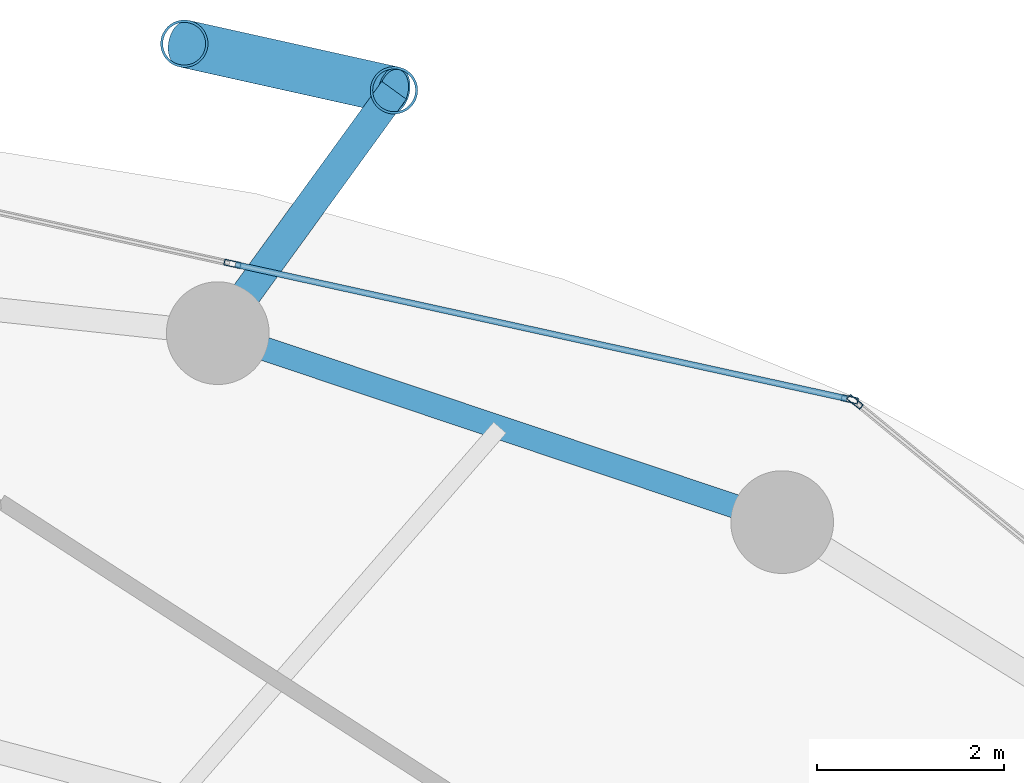
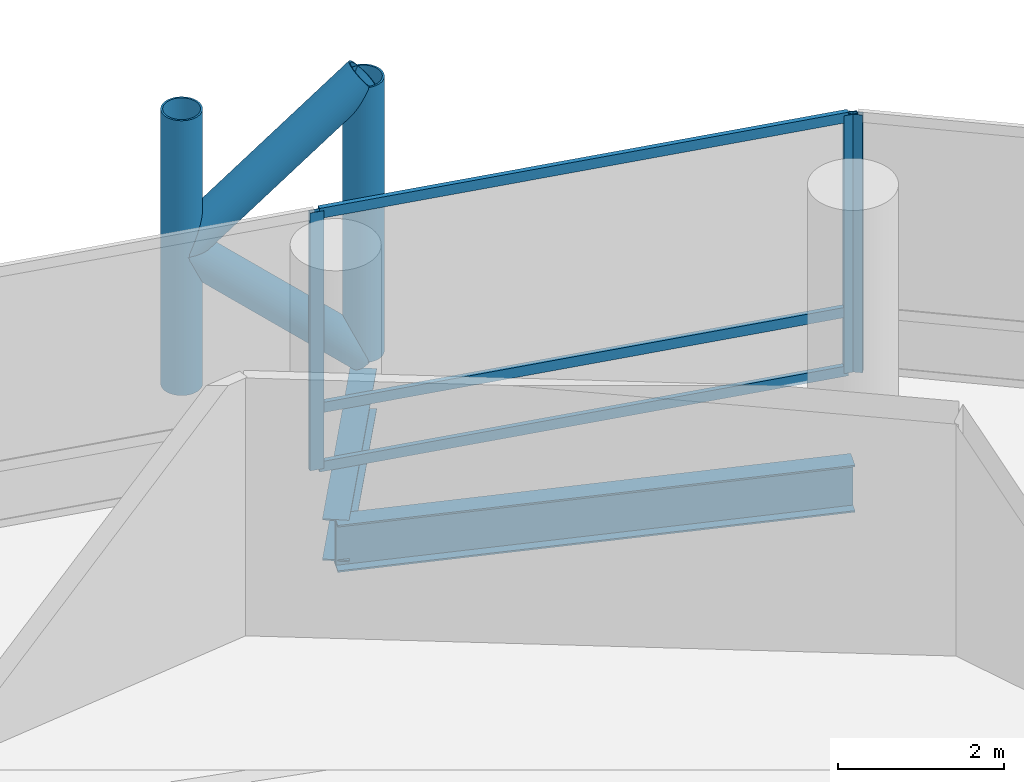
# One storey, part 18 of 24: 10 members, 2 beams, 2 elements without a shape of their own.
"""IFC4 building model written with IfcOpenShell, lengths in metres."""

from ifc_helpers import new_model, si_unit, direction, frame, origin, origin_2d, place, context, subcontext, project, spatial, hollow_rectangle, hollow_circle, i_section, extrude, material, layer, layer_set, material_profile, profile_set, type_object, element, aggregate, save


model = new_model("IFC4")

# Units and contexts
model_context = context("Model", 3, precision=1e-05, world=origin(), true_north=direction((0.0, 1.0)))
body_context = subcontext(model_context, "Body", "Model", "MODEL_VIEW")
ifc_project = project(units=[si_unit("LENGTHUNIT", "METRE"), si_unit("AREAUNIT", "SQUARE_METRE"), si_unit("VOLUMEUNIT", "CUBIC_METRE"), si_unit("PLANEANGLEUNIT", "RADIAN"), si_unit("MASSUNIT", "GRAM", prefix="KILO")], contexts=[model_context])

# Site, building, storey
site_placement = place(None, origin())
site = spatial("IfcSite", under=ifc_project, at=site_placement, CompositionType="ELEMENT")
building_placement = place(site_placement, origin())
building = spatial("IfcBuilding", under=site, at=building_placement, Name="Nuhasar Tower", CompositionType="ELEMENT")
storey_placement = place(building_placement, frame((0.0, 0.0, 89.85009765625)))
storey = spatial("IfcBuildingStorey", under=building, at=storey_placement, Name="L21", CompositionType="ELEMENT", Elevation=89.85009765625)

# Beams
ifc_material_1 = material(Name="Steel S355", Category="steel")
ifc_material_profile_1 = material_profile(ifc_material_1, i_section(OverallWidth=0.256103515625, OverallDepth=0.693115234375, WebThickness=0.014404296875, FlangeThickness=0.023681640625, at=origin_2d()), Name="W27X114")
ifc_profile_set_1 = profile_set([ifc_material_profile_1], Name="Steel S355")
beam_type_1 = type_object("IfcBeamType", Name="BM-RING-W27X114", PredefinedType="SPANDREL", material=ifc_profile_set_1)
beam_1_placement = place(storey_placement, frame((51.52490234375, 44.3369140625, -0.59716796875), z_axis=(-0.948249435708, 0.317526388949, 0.0), x_axis=(-0.317526388949, -0.948249435708, 0.0)))
element("IfcBeam", 1, at=beam_1_placement, inside=storey, type_object=beam_type_1, Name="L21 Perimeter Ring Spandrel 05", PredefinedType="SPANDREL", context=body_context, shape_type="SweptSolid", body=[
    extrude(i_section(OverallWidth=0.256103515625, OverallDepth=0.693115234375, WebThickness=0.014404296875, FlangeThickness=0.023681640625, at=origin_2d()), origin(), (0.0, 0.0, 1.0), 6.371826171875),
])
ifc_material_profile_2 = material_profile(ifc_material_1, i_section(OverallWidth=0.323974609375, OverallDepth=0.611083984375, WebThickness=0.0126953125, FlangeThickness=0.01904296875, at=origin_2d()), Name="W24X104")
ifc_profile_set_2 = profile_set([ifc_material_profile_2], Name="Steel S355")
beam_type_2 = type_object("IfcBeamType", Name="BM-TIE-W24X104", PredefinedType="BEAM", material=ifc_profile_set_2)
beam_2_placement = place(storey_placement, frame((45.48291015625, 46.360107421875, -0.55615234375), z_axis=(0.587439442414, 0.809268127073, 0.0), x_axis=(-0.809268127073, 0.587439442414, 0.0)))
element("IfcBeam", 2, at=beam_2_placement, inside=storey, type_object=beam_type_2, Name="L21 Exoskeleton Node Tie Beam 03", PredefinedType="BEAM", context=body_context, shape_type="SweptSolid", body=[
    extrude(i_section(OverallWidth=0.323974609375, OverallDepth=0.611083984375, WebThickness=0.0126953125, FlangeThickness=0.01904296875, at=origin_2d()), origin(), (0.0, 0.0, 1.0), 3.212646484375),
])

# Curtain wall, member
ifc_material_2 = material(Name="Aluminium 6063-T6", Category="aluminium")
ifc_layer = layer(ifc_material_2, 0.199951171875)
ifc_layer_set = layer_set([ifc_layer], Name="Aluminium 6063-T6")
curtain_wall_type = type_object("IfcCurtainWallType", Name="CW-Z1-OFF", PredefinedType="NOTDEFINED", material=ifc_layer_set)
curtain_wall_1_placement = place(storey_placement, origin())
curtain_wall_1 = element("IfcCurtainWall", 3, at=curtain_wall_1_placement, inside=storey, type_object=curtain_wall_type, Name="L21 Unitised Curtain Wall 02", PredefinedType="NOTDEFINED")
ifc_material_profile_3 = material_profile(ifc_material_2, hollow_rectangle(XDim=0.06494140625, YDim=0.179931640625, WallThickness=0.0048828125, at=origin_2d()), Name="CWM-2")
ifc_profile_set_3 = profile_set([ifc_material_profile_3], Name="Aluminium 6063-T6")
member_type_1 = type_object("IfcMemberType", Name="CW-MUL-S2", PredefinedType="MULLION", material=ifc_profile_set_3)
member_1_placement = place(storey_placement, frame((52.30517578125, 45.62451171875, 0.0), z_axis=(0.0, 0.0, 1.0), x_axis=(-0.633744593376, -0.773542364946, 0.0)))
member_1 = element("IfcMember", 4, at=member_1_placement, type_object=member_type_1, Name="CW-Z1 mullion 2", PredefinedType="MULLION", context=body_context, shape_type="SweptSolid", body=[
    extrude(hollow_rectangle(XDim=0.06494140625, YDim=0.179931640625, WallThickness=0.0048828125, at=origin_2d()), origin(), (0.0, 0.0, 1.0), 3.7998046875),
])
aggregate(curtain_wall_1, [member_1])

# Curtain wall, members
curtain_wall_2_placement = place(storey_placement, origin())
curtain_wall_2 = element("IfcCurtainWall", 5, at=curtain_wall_2_placement, inside=storey, type_object=curtain_wall_type, Name="L21 Unitised Curtain Wall 03", PredefinedType="NOTDEFINED")
member_2_placement = place(storey_placement, frame((52.248291015625, 45.65185546875, 0.0), z_axis=(0.0, 0.0, 1.0), x_axis=(-0.214398737637, -0.976746221544, 0.0)))
member_2 = element("IfcMember", 6, at=member_2_placement, type_object=member_type_1, Name="CW-Z1 mullion 1", PredefinedType="MULLION", context=body_context, shape_type="SweptSolid", body=[
    extrude(hollow_rectangle(XDim=0.06494140625, YDim=0.179931640625, WallThickness=0.0048828125, at=origin_2d()), origin(), (0.0, 0.0, 1.0), 3.7998046875),
])
member_3_placement = place(storey_placement, frame((45.639892578125, 47.1025390625, 0.0), z_axis=(0.0, 0.0, 1.0), x_axis=(-0.214398737637, -0.976746221544, 0.0)))
member_3 = element("IfcMember", 7, at=member_3_placement, type_object=member_type_1, Name="CW-Z1 mullion 2", PredefinedType="MULLION", context=body_context, shape_type="SweptSolid", body=[
    extrude(hollow_rectangle(XDim=0.06494140625, YDim=0.179931640625, WallThickness=0.0048828125, at=origin_2d()), origin(), (0.0, 0.0, 1.0), 3.7998046875),
])
ifc_material_profile_4 = material_profile(ifc_material_2, hollow_rectangle(XDim=0.06494140625, YDim=0.14990234375, WallThickness=0.00439453125, at=origin_2d()), Name="CWT-2")
ifc_profile_set_4 = profile_set([ifc_material_profile_4], Name="Aluminium 6063-T6")
member_type_2 = type_object("IfcMemberType", Name="CW-TRN-S2", PredefinedType="USERDEFINED", material=ifc_profile_set_4)
member_4_placement = place(storey_placement, frame((52.216552734375, 45.658935546875, 0.032470703125), z_axis=(-0.976749553792, 0.214383556196, 0.0), x_axis=(-0.214383556196, -0.976749553792, 0.0)))
member_4 = element("IfcMember", 8, at=member_4_placement, type_object=member_type_2, Name="CW-Z1 transom 1.1", ObjectType="TRANSOM", PredefinedType="USERDEFINED", context=body_context, shape_type="SweptSolid", body=[
    extrude(hollow_rectangle(XDim=0.06494140625, YDim=0.14990234375, WallThickness=0.00439453125, at=origin_2d()), origin(), (0.0, 0.0, 1.0), 6.70068359375),
])
member_5_placement = place(storey_placement, frame((52.216552734375, 45.658935546875, 0.89990234375), z_axis=(-0.976749553792, 0.214383556196, 0.0), x_axis=(-0.214383556196, -0.976749553792, 0.0)))
member_5 = element("IfcMember", 9, at=member_5_placement, type_object=member_type_2, Name="CW-Z1 transom 1.2", ObjectType="TRANSOM", PredefinedType="USERDEFINED", context=body_context, shape_type="SweptSolid", body=[
    extrude(hollow_rectangle(XDim=0.06494140625, YDim=0.14990234375, WallThickness=0.00439453125, at=origin_2d()), origin(), (0.0, 0.0, 1.0), 6.70068359375),
])
member_6_placement = place(storey_placement, frame((52.216552734375, 45.658935546875, 3.767333984375), z_axis=(-0.976749553792, 0.214383556196, 0.0), x_axis=(-0.214383556196, -0.976749553792, 0.0)))
member_6 = element("IfcMember", 10, at=member_6_placement, type_object=member_type_2, Name="CW-Z1 transom 1.3", ObjectType="TRANSOM", PredefinedType="USERDEFINED", context=body_context, shape_type="SweptSolid", body=[
    extrude(hollow_rectangle(XDim=0.06494140625, YDim=0.14990234375, WallThickness=0.00439453125, at=origin_2d()), origin(), (0.0, 0.0, 1.0), 6.70068359375),
])
aggregate(curtain_wall_2, [member_2, member_3, member_4, member_5, member_6])

# Members
ifc_material_3 = material(Name="Steel S460", Category="steel")
ifc_material_profile_5 = material_profile(ifc_material_3, hollow_circle(Radius=0.25390625, WallThickness=0.025390625, at=origin_2d()), Name="HSS508X25.4")
ifc_profile_set_5 = profile_set([ifc_material_profile_5], Name="Steel S460")
member_type_3 = type_object("IfcMemberType", Name="EXO-BRONZE-508", PredefinedType="BRACE", material=ifc_profile_set_5)
for number, where, z_axis, x_axis, name in (
    (11, (47.3701171875, 48.9599609375, 0.0), (0.0, 0.0, 1.0), (1.0, 0.0, 0.0), "L21 Exoskeleton Chord Column EC-03A"),
    (12, (45.1240234375, 49.458984375, 0.0), (0.0, 0.0, 1.0), (1.0, 0.0, 0.0), "L21 Exoskeleton Chord Column EC-03B"),
):
    element("IfcMember", number, at=place(storey_placement, frame(where, z_axis=z_axis, x_axis=x_axis)), inside=storey, type_object=member_type_3, Name=name, PredefinedType="BRACE", context=body_context, shape_type="SweptSolid", body=[
        extrude(hollow_circle(Radius=0.25390625, WallThickness=0.025390625, at=origin_2d()), origin(), (0.0, 0.0, 1.0), 4.0498046875),
    ])
for number, where, z_axis, x_axis, name in (
    (13, (47.3701171875, 48.9599609375, 0.0), (-0.732821471909, 0.162813813976, 0.660654487828), (-0.216885517571, -0.97619704582, 0.0), "L21 Bronze Diagrid Brace W1-03"),
    (14, (45.1240234375, 49.458984375, 2.02490234375), (0.732821471909, -0.162813813976, 0.660654487828), (0.216885517571, 0.97619704582, 0.0), "L21 Bronze Diagrid Brace W2-03"),
):
    element("IfcMember", number, at=place(storey_placement, frame(where, z_axis=z_axis, x_axis=x_axis)), inside=storey, type_object=member_type_3, Name=name, PredefinedType="BRACE", context=body_context, shape_type="SweptSolid", body=[
        extrude(hollow_circle(Radius=0.25390625, WallThickness=0.025390625, at=origin_2d()), origin(), (0.0, 0.0, 1.0), 3.06494140625),
    ])

save(model, "model.ifc")
